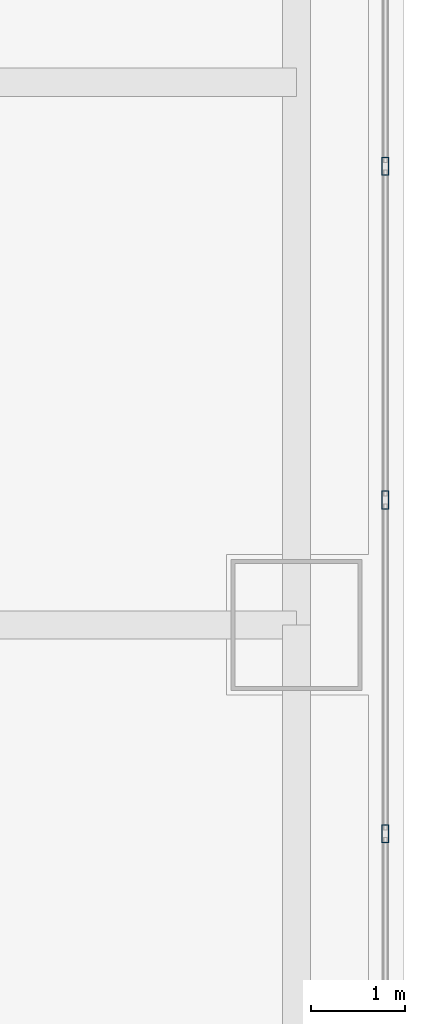
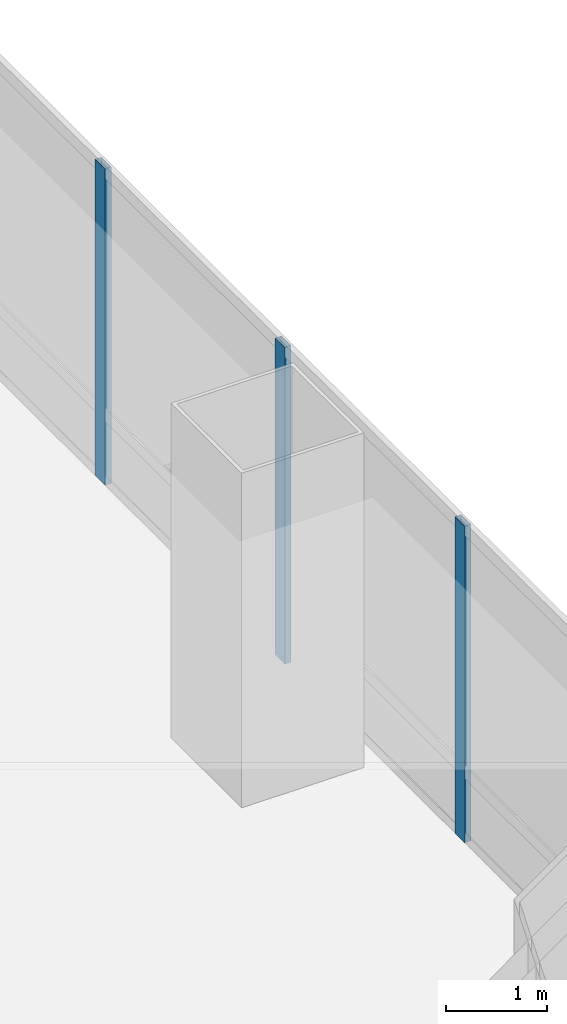
# One storey, part 17 of 36: 3 members, 1 element without a shape of its own.
"""IFC4 building model written with IfcOpenShell, lengths in metres."""

from ifc_helpers import new_model, si_unit, direction, frame, origin, origin_2d, place, context, subcontext, project, spatial, hollow_rectangle, extrude, material, material_profile, profile_set, type_object, element, aggregate, save


model = new_model("IFC4")

# Units and contexts
model_context = context("Model", 3, precision=1e-05, world=origin(), true_north=direction((0.0, 1.0)))
body_context = subcontext(model_context, "Body", "Model", "MODEL_VIEW")
ifc_project = project(units=[si_unit("LENGTHUNIT", "METRE"), si_unit("AREAUNIT", "SQUARE_METRE"), si_unit("VOLUMEUNIT", "CUBIC_METRE"), si_unit("PLANEANGLEUNIT", "RADIAN"), si_unit("MASSUNIT", "GRAM", prefix="KILO")], contexts=[model_context])

# Site, building, storey
site_placement = place(None, origin())
site = spatial("IfcSite", under=ifc_project, at=site_placement, CompositionType="ELEMENT")
building_placement = place(site_placement, origin())
building = spatial("IfcBuilding", under=site, at=building_placement, Name="Punatoya Terracotta Tower", CompositionType="ELEMENT")
storey_placement = place(building_placement, frame((0.0, 0.0, 196.5)))
storey = spatial("IfcBuildingStorey", under=building, at=storey_placement, Name="L46", CompositionType="ELEMENT", Elevation=196.5)

# Curtain wall, members
ifc_material_1 = material(Name="Aluminium 6063-T6 + Double Low-E Glass", Category="aluminium")
curtain_wall_type = type_object("IfcCurtainWallType", Name="CW-M2", PredefinedType="NOTDEFINED", material=ifc_material_1)
curtain_wall_placement = place(storey_placement, origin())
curtain_wall = element("IfcCurtainWall", 1, at=curtain_wall_placement, inside=storey, type_object=curtain_wall_type, Name="L46 Curtain Wall CW-L46-E05-1", PredefinedType="NOTDEFINED")
ifc_material_2 = material(Name="Aluminium 6063-T6", Category="aluminium")
ifc_material_profile = material_profile(ifc_material_2, hollow_rectangle(XDim=0.072021484375, YDim=0.195068359375, WallThickness=0.00439453125, at=origin_2d()))
ifc_profile_set = profile_set([ifc_material_profile], Name="Aluminium 6063-T6")
member_type = type_object("IfcMemberType", Name="CW-MUL-M2", PredefinedType="MULLION", material=ifc_profile_set)
member_1_placement = place(storey_placement, frame((20.050048828125, 1.16748046875, 0.0), z_axis=(0.0, 0.0, 1.0), x_axis=(1.0, 0.0, 0.0)))
member_1 = element("IfcMember", 2, at=member_1_placement, type_object=member_type, Name="CW-L46-E05-1 Mullion 06", PredefinedType="MULLION", context=body_context, shape_type="SweptSolid", body=[
    extrude(hollow_rectangle(XDim=0.072021484375, YDim=0.195068359375, WallThickness=0.00439453125, at=origin_2d()), origin(), (0.0, 0.0, 1.0), 3.830078125),
])
member_2_placement = place(storey_placement, frame((20.050048828125, 4.73486328125, 0.0), z_axis=(0.0, 0.0, 1.0), x_axis=(1.0, 0.0, 0.0)))
member_2 = element("IfcMember", 3, at=member_2_placement, type_object=member_type, Name="CW-L46-E05-1 Mullion 07", PredefinedType="MULLION", context=body_context, shape_type="SweptSolid", body=[
    extrude(hollow_rectangle(XDim=0.072021484375, YDim=0.195068359375, WallThickness=0.00439453125, at=origin_2d()), origin(), (0.0, 0.0, 1.0), 3.830078125),
])
member_3_placement = place(storey_placement, frame((20.050048828125, 8.302001953125, 0.0), z_axis=(0.0, 0.0, 1.0), x_axis=(1.0, 0.0, 0.0)))
member_3 = element("IfcMember", 4, at=member_3_placement, type_object=member_type, Name="CW-L46-E05-1 Mullion 08", PredefinedType="MULLION", context=body_context, shape_type="SweptSolid", body=[
    extrude(hollow_rectangle(XDim=0.072021484375, YDim=0.195068359375, WallThickness=0.00439453125, at=origin_2d()), origin(), (0.0, 0.0, 1.0), 3.830078125),
])
aggregate(curtain_wall, [member_1, member_2, member_3])

save(model, "model.ifc")
